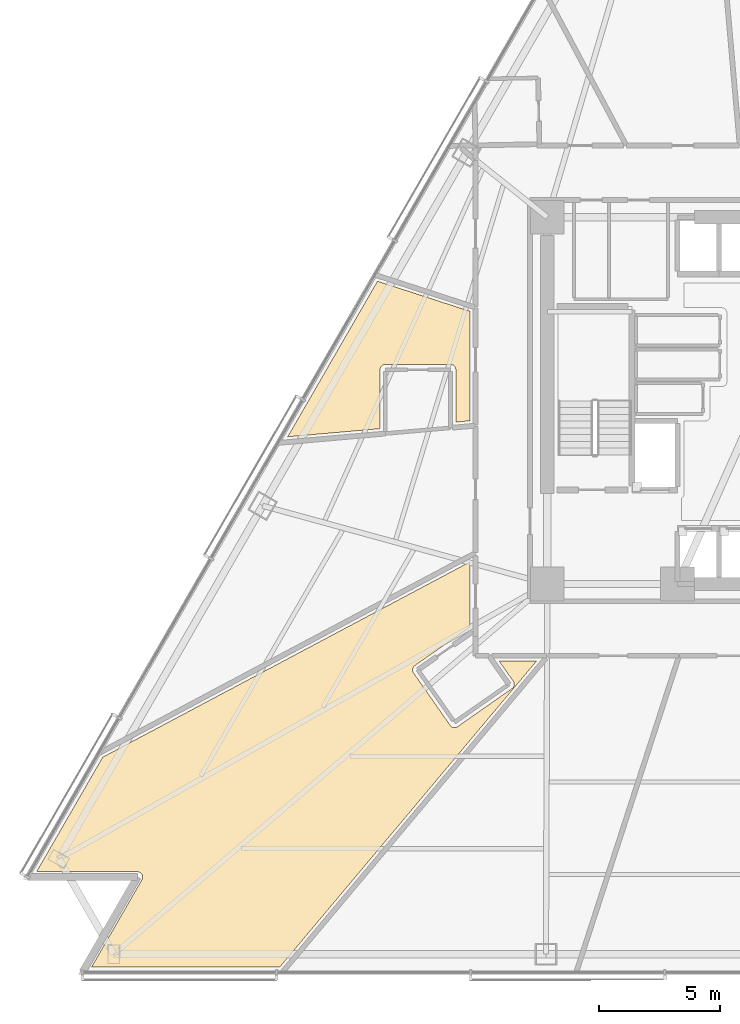
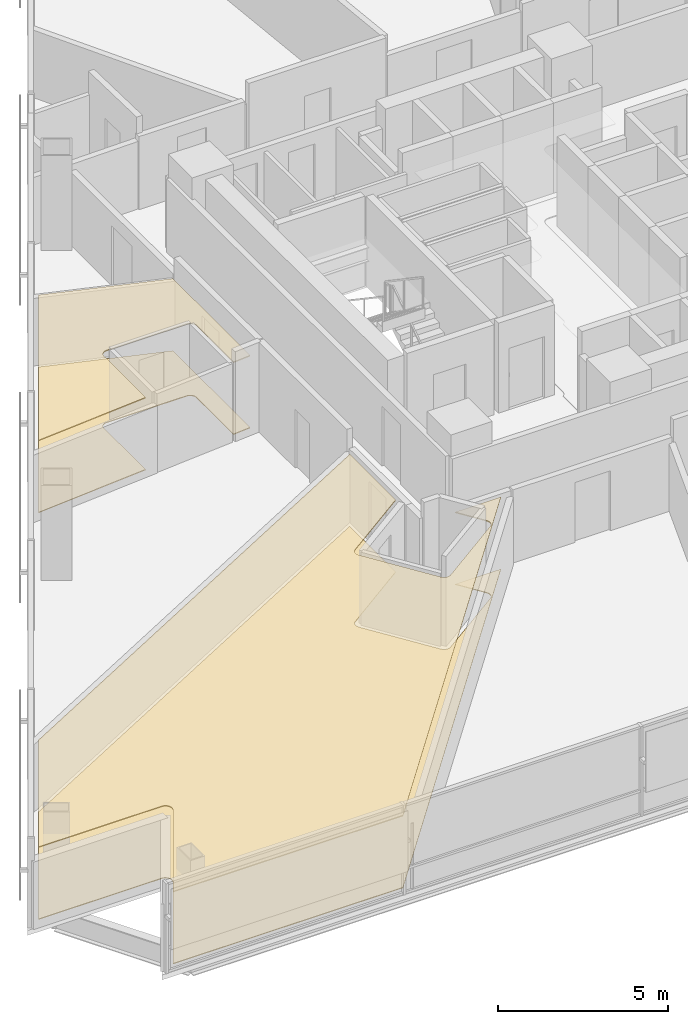
# One storey, part 14 of 18: 4 coverings.
"""IFC4 building model written with IfcOpenShell, lengths in metres."""

import ifcopenshell
import ifcopenshell.guid

model = None  # the IFC model being written
_history = None  # IfcOwnerHistory: only IFC2X3 demands one
_inside = {}  # id of a spatial element -> (the spatial element, [elements in it])
_under = {}  # id of a project, library or spatial element -> (it, [spatial elements below it])
_declared = {}  # id of a project -> (the project, [libraries it declares])
_typed = {}  # id of a type object -> (the type object, [elements of that type])
_made_of = {}  # id of a material, layer set ... -> (it, [elements and type objects made of it])


def new_model(schema):
    """Start an empty IFC model of exactly this schema.

    Asked for "IFC4X3", IfcOpenShell would pick the latest addendum, in which some entities
    have other attributes; the version numbers below select the first issue.
    IFC2X3 requires an IfcOwnerHistory on every rooted entity: one is made here for all.
    """
    global model, _history
    if schema == "IFC4X3":
        model = ifcopenshell.file(schema_version=(4, 3, 0, 0))
    else:
        model = ifcopenshell.file(schema=schema)
    _inside.clear()
    _under.clear()
    _declared.clear()
    _typed.clear()
    _made_of.clear()
    _history = None
    if model.schema == "IFC2X3":
        org = make("IfcOrganization", Name="unknown")
        user = make(
            "IfcPersonAndOrganization",
            ThePerson=make("IfcPerson", FamilyName="unknown"),
            TheOrganization=org,
        )
        app = make(
            "IfcApplication",
            ApplicationDeveloper=org,
            Version="unknown",
            ApplicationFullName="unknown",
            ApplicationIdentifier="unknown",
        )
        _history = make(
            "IfcOwnerHistory",
            OwningUser=user,
            OwningApplication=app,
            ChangeAction="ADDED",
            CreationDate=0,
        )
    return model


def make(cls, **values):
    """One entity of the class cls with the attributes given. An attribute that is None is left unset."""
    return model.create_entity(
        cls, **{name: value for name, value in values.items() if value is not None}
    )


def rooted(cls, **values):
    """An entity with a GlobalId (a new one), such as an element, a storey or a relation."""
    return make(cls, GlobalId=ifcopenshell.guid.new(), OwnerHistory=_history, **values)


def si_unit(unit_type, name, prefix=None):
    """IfcSIUnit, for example si_unit("LENGTHUNIT", "METRE", prefix="MILLI")."""
    return make("IfcSIUnit", UnitType=unit_type, Prefix=prefix, Name=name)


def assignment(units):
    """IfcUnitAssignment: the units of a project."""
    return None if units is None else make("IfcUnitAssignment", Units=units)


def point(xyz):
    """IfcCartesianPoint."""
    return None if xyz is None else make("IfcCartesianPoint", Coordinates=xyz)


def direction(xyz):
    """IfcDirection."""
    return None if xyz is None else make("IfcDirection", DirectionRatios=xyz)


def frame(location, z_axis=None, x_axis=None):
    """IfcAxis2Placement3D, a coordinate frame: its origin and axes. An axis left out is left unset."""
    return make(
        "IfcAxis2Placement3D",
        Location=point(location),
        Axis=direction(z_axis),
        RefDirection=direction(x_axis),
    )


def origin():
    """The frame at (0, 0, 0) with its axes left unset."""
    return frame((0.0, 0.0, 0.0))


def place(relative_to, where):
    """IfcLocalPlacement: puts the frame where relative to a parent placement (None: the world)."""
    return make(
        "IfcLocalPlacement", PlacementRelTo=relative_to, RelativePlacement=where
    )


def context(
    kind, dimensions, precision=None, world=None, true_north=None, identifier=None
):
    """IfcGeometricRepresentationContext, for example the 3D "Model" context."""
    return make(
        "IfcGeometricRepresentationContext",
        ContextIdentifier=identifier,
        ContextType=kind,
        CoordinateSpaceDimension=dimensions,
        Precision=precision,
        WorldCoordinateSystem=world,
        TrueNorth=true_north,
    )


def subcontext(parent, identifier, kind, view, scale=None):
    """IfcGeometricRepresentationSubContext, for example "Body" below "Model"."""
    return make(
        "IfcGeometricRepresentationSubContext",
        ContextIdentifier=identifier,
        ContextType=kind,
        ParentContext=parent,
        TargetScale=scale,
        TargetView=view,
    )


def project(units=None, contexts=None):
    """IfcProject with its units and contexts."""
    return rooted(
        "IfcProject",
        Name="project",
        RepresentationContexts=contexts,
        UnitsInContext=assignment(units),
    )


def spatial(cls, under=None, at=None, **own):
    """A site, building, storey or space (cls), placed at a placement, below another one or the project."""
    s = rooted(cls, ObjectPlacement=at, **own)
    if under is not None:
        _under.setdefault(under.id(), (under, []))[1].append(s)
    return s


def polyline(points):
    """IfcPolyline through the points."""
    return make("IfcPolyline", Points=[point(p) for p in points])


def outline(outer, holes=None, kind="AREA"):
    """IfcArbitraryClosedProfileDef: a profile drawn as a closed curve; with holes, ...WithVoids."""
    if holes is None:
        return make("IfcArbitraryClosedProfileDef", ProfileType=kind, OuterCurve=outer)
    return make(
        "IfcArbitraryProfileDefWithVoids",
        ProfileType=kind,
        OuterCurve=outer,
        InnerCurves=holes,
    )


def extrude(swept, where, along, depth):
    """IfcExtrudedAreaSolid: the profile swept, set in the frame where, extruded along a direction by depth."""
    return make(
        "IfcExtrudedAreaSolid",
        SweptArea=swept,
        Position=where,
        ExtrudedDirection=direction(along),
        Depth=depth,
    )


def shape(context_of_items, identifier, shape_type, items):
    """IfcShapeRepresentation: the items that make up one representation, for example the "Body"."""
    return make(
        "IfcShapeRepresentation",
        ContextOfItems=context_of_items,
        RepresentationIdentifier=identifier,
        RepresentationType=shape_type,
        Items=items,
    )


def material(Name=None, Category=None):
    """IfcMaterial."""
    return make("IfcMaterial", Name=Name, Category=Category)


def layer(
    of_material, thickness, ventilated=None, Name=None, Category=None, Priority=None
):
    """IfcMaterialLayer: one layer of a wall or slab, of a material (None: an air gap)."""
    return make(
        "IfcMaterialLayer",
        Material=of_material,
        LayerThickness=thickness,
        IsVentilated=ventilated,
        Name=Name,
        Category=Category,
        Priority=Priority,
    )


def layer_set(layers, Name=None):
    """IfcMaterialLayerSet."""
    return make("IfcMaterialLayerSet", MaterialLayers=layers, LayerSetName=Name)


def made_of(thing, what):
    """Note that an element or type object is made of a material, layer set ...; save() writes the relation."""
    if what is not None:
        _made_of.setdefault(what.id(), (what, []))[1].append(thing)
    return thing


def type_object(cls, material=None, **own):
    """A type object (cls), such as IfcWallType, which elements share."""
    return made_of(rooted(cls, **own), material)


def element(
    cls,
    number,
    at=None,
    inside=None,
    cuts=None,
    type_object=None,
    material=None,
    context=None,
    identifier="Body",
    shape_type=None,
    held_by="IfcProductDefinitionShape",
    body=None,
    shapes=None,
    **own,
):
    """One element of the class cls, such as IfcWall. Its Tag is "e" and its number.

    at: its placement. inside: the storey or other place that contains it. cuts: it is an
    opening in that element (IfcRelVoidsElement). A single representation is given by context,
    identifier, shape_type and body (its items); several are given by shapes. held_by: the class
    of the entity that holds the representations. save() writes the other relations.
    """
    e = rooted(cls, Tag="e%d" % number, ObjectPlacement=at, **own)
    if body is not None:
        shapes = [shape(context, identifier, shape_type, body)]
    if shapes is not None:
        e.Representation = make(held_by, Representations=shapes)
    if inside is not None:
        _inside.setdefault(inside.id(), (inside, []))[1].append(e)
    if cuts is not None:
        rooted(
            "IfcRelVoidsElement", RelatingBuildingElement=cuts, RelatedOpeningElement=e
        )
    if type_object is not None:
        _typed.setdefault(type_object.id(), (type_object, []))[1].append(e)
    return made_of(e, material)


def aggregate(whole, parts):
    """IfcRelAggregates: a whole, such as a stair, and the parts it consists of."""
    return rooted("IfcRelAggregates", RelatingObject=whole, RelatedObjects=parts)


def save(model, path):
    """Write the relations noted so far, then the file.

    IfcRelAggregates (storeys below a building ...), IfcRelContainedInSpatialStructure (elements
    in a storey), IfcRelDefinesByType, IfcRelAssociatesMaterial and IfcRelDeclares: one each for
    every whole, place, type object, material and project.
    """
    for whole, parts in _under.values():
        aggregate(whole, parts)
    for where, things in _inside.values():
        rooted(
            "IfcRelContainedInSpatialStructure",
            RelatedElements=things,
            RelatingStructure=where,
        )
    for kind, things in _typed.values():
        rooted("IfcRelDefinesByType", RelatedObjects=things, RelatingType=kind)
    for what, things in _made_of.values():
        rooted("IfcRelAssociatesMaterial", RelatedObjects=things, RelatingMaterial=what)
    for by, libraries in _declared.values():
        rooted("IfcRelDeclares", RelatingContext=by, RelatedDefinitions=libraries)
    model.write(path)


model = new_model("IFC4")

# Units and contexts
model_context = context("Model", 3, precision=1e-05, world=origin(), true_north=direction((0.0, 1.0)))
body_context = subcontext(model_context, "Body", "Model", "MODEL_VIEW")
ifc_project = project(units=[si_unit("LENGTHUNIT", "METRE"), si_unit("AREAUNIT", "SQUARE_METRE"), si_unit("VOLUMEUNIT", "CUBIC_METRE"), si_unit("PLANEANGLEUNIT", "RADIAN"), si_unit("MASSUNIT", "GRAM", prefix="KILO")], contexts=[model_context])

# Site, building, storey
site_placement = place(None, origin())
site = spatial("IfcSite", under=ifc_project, at=site_placement, CompositionType="ELEMENT")
building_placement = place(site_placement, origin())
building = spatial("IfcBuilding", under=site, at=building_placement, Name="Tharavind Bronze Gate", CompositionType="ELEMENT")
storey_placement = place(building_placement, frame((0.0, 0.0, 38.64990234375)))
storey = spatial("IfcBuildingStorey", under=building, at=storey_placement, Name="L08", CompositionType="ELEMENT", Elevation=38.64990234375)

# Coverings
ifc_material_1 = material(Name="Engineered Oak & Carpet Tile", Category="wood")
ifc_layer_1 = layer(ifc_material_1, 0.02490234375)
ifc_layer_set_1 = layer_set([ifc_layer_1], Name="Engineered Oak & Carpet Tile")
covering_type_1 = type_object("IfcCoveringType", Name="ENGINEERED TIMBER FLOORING", PredefinedType="FLOORING", material=ifc_layer_set_1)
covering_1_placement = place(storey_placement, origin())
element("IfcCovering", 1, at=covering_1_placement, inside=storey, type_object=covering_type_1, Name="L08-RM-08 floor finish", PredefinedType="FLOORING", context=body_context, shape_type="SweptSolid", body=[
    extrude(outline(polyline([(-15.8359375, -1.16455078125), (-15.8359375, 1.278076171875), (-15.834716796875, 1.2998046875), (-15.831787109375, 1.321044921875), (-15.826416015625, 1.342041015625), (-15.819091796875, 1.3623046875), (-15.809814453125, 1.3818359375), (-15.798828125, 1.400390625), (-15.785888671875, 1.417724609375), (-15.771484375, 1.43359375), (-15.755615234375, 1.4482421875), (-15.738037109375, 1.461181640625), (-15.719482421875, 1.47216796875), (-15.7001953125, 1.4814453125), (-15.6796875, 1.48876953125), (-15.65869140625, 1.493896484375), (-15.637451171875, 1.4970703125), (-15.615966796875, 1.498046875), (-12.916015625, 1.498046875), (-12.894287109375, 1.4970703125), (-12.873046875, 1.493896484375), (-12.85205078125, 1.48876953125), (-12.831787109375, 1.4814453125), (-12.812255859375, 1.47216796875), (-12.793701171875, 1.461181640625), (-12.7763671875, 1.4482421875), (-12.76025390625, 1.43359375), (-12.745849609375, 1.417724609375), (-12.73291015625, 1.400390625), (-12.721923828125, 1.3818359375), (-12.712646484375, 1.3623046875), (-12.705322265625, 1.342041015625), (-12.7001953125, 1.321044921875), (-12.697021484375, 1.2998046875), (-12.69580078125, 1.278076171875), (-12.69580078125, -0.889892578125), (-12.10009765625, -0.837890625), (-12.10009765625, 3.7001953125), (-15.941650390625, 4.948486328125), (-19.664306640625, -1.49951171875), (-15.8359375, -1.16455078125)])), origin(), (0.0, 0.0, 1.0), 0.025146484375),
])
covering_2_placement = place(storey_placement, origin())
element("IfcCovering", 2, at=covering_2_placement, inside=storey, type_object=covering_type_1, Name="L08-RM-10 floor finish", PredefinedType="FLOORING", context=body_context, shape_type="SweptSolid", body=[
    extrude(outline(polyline([(-25.896484375, -19.531005859375), (-25.885498046875, -19.53125), (-25.885009765625, -19.53125), (-25.863037109375, -19.533447265625), (-25.841552734375, -19.53759765625), (-25.820556640625, -19.544189453125), (-25.80029296875, -19.552734375), (-25.781005859375, -19.563232421875), (-25.762939453125, -19.57568359375), (-25.74609375, -19.589599609375), (-25.73095703125, -19.60546875), (-25.71728515625, -19.62255859375), (-25.705322265625, -19.640869140625), (-25.6953125, -19.660400390625), (-25.687255859375, -19.680908203125), (-25.681396484375, -19.701904296875), (-25.677490234375, -19.7236328125), (-25.67578125, -19.745361328125), (-25.676513671875, -19.767333984375), (-25.67919921875, -19.7890625), (-25.68408203125, -19.810546875), (-25.691162109375, -19.831298828125), (-25.7001953125, -19.851318359375), (-25.7001953125, -19.851806640625), (-25.70556640625, -19.861328125), (-27.794677734375, -23.47998046875), (-19.9892578125, -23.47998046875), (-9.349609375, -10.800048828125), (-10.897705078125, -10.800048828125), (-10.31396484375, -11.63427734375), (-10.302490234375, -11.652587890625), (-10.29296875, -11.671875), (-10.28515625, -11.692138671875), (-10.279541015625, -11.712890625), (-10.27587890625, -11.734130859375), (-10.2744140625, -11.755615234375), (-10.27490234375, -11.77734375), (-10.277587890625, -11.798583984375), (-10.282470703125, -11.81982421875), (-10.289306640625, -11.84033203125), (-10.298095703125, -11.860107421875), (-10.308837890625, -11.878662109375), (-10.3212890625, -11.896240234375), (-10.33544921875, -11.91259765625), (-10.35107421875, -11.927490234375), (-10.3681640625, -11.940673828125), (-12.62158203125, -13.51708984375), (-12.639892578125, -13.528564453125), (-12.6591796875, -13.5380859375), (-12.67919921875, -13.5458984375), (-12.7001953125, -13.551513671875), (-12.721435546875, -13.55517578125), (-12.742919921875, -13.556640625), (-12.764404296875, -13.55615234375), (-12.785888671875, -13.553466796875), (-12.806884765625, -13.548583984375), (-12.827392578125, -13.541748046875), (-12.84716796875, -13.532958984375), (-12.865966796875, -13.522216796875), (-12.883544921875, -13.509765625), (-12.89990234375, -13.49560546875), (-12.914794921875, -13.47998046875), (-12.927978515625, -13.462890625), (-14.447021484375, -11.29150390625), (-14.45849609375, -11.273193359375), (-14.468017578125, -11.25390625), (-14.475830078125, -11.233642578125), (-14.4814453125, -11.212890625), (-14.485107421875, -11.19140625), (-14.486572265625, -11.169921875), (-14.486083984375, -11.1484375), (-14.4833984375, -11.126953125), (-14.478515625, -11.10595703125), (-14.4716796875, -11.08544921875), (-14.462890625, -11.06591796875), (-14.4521484375, -11.047119140625), (-14.439697265625, -11.029296875), (-14.425537109375, -11.01318359375), (-14.409912109375, -10.998291015625), (-14.392822265625, -10.985107421875), (-12.139404296875, -9.40869140625), (-12.12109375, -9.397216796875), (-12.101806640625, -9.3876953125), (-12.10009765625, -9.386962890625), (-12.10009765625, -6.682861328125), (-27.333251953125, -14.782470703125), (-30.07470703125, -19.531005859375), (-25.896484375, -19.531005859375)])), origin(), (0.0, 0.0, 1.0), 0.025146484375),
])
ifc_material_2 = material(Name="Acoustic Gypsum Board", Category="gypsum")
ifc_layer_2 = layer(ifc_material_2, 0.030029296875)
ifc_layer_set_2 = layer_set([ifc_layer_2], Name="Acoustic Gypsum Board")
covering_type_2 = type_object("IfcCoveringType", Name="GYPSUM SUSPENDED CEILING", PredefinedType="CEILING", material=ifc_layer_set_2)
covering_3_placement = place(storey_placement, frame((0.0, 0.0, 2.5751953125)))
element("IfcCovering", 3, at=covering_3_placement, inside=storey, type_object=covering_type_2, Name="L08-RM-08 suspended ceiling", PredefinedType="CEILING", context=body_context, shape_type="SweptSolid", body=[
    extrude(outline(polyline([(-15.8359375, -1.16455078125), (-15.8359375, 1.278076171875), (-15.834716796875, 1.2998046875), (-15.831787109375, 1.321044921875), (-15.826416015625, 1.342041015625), (-15.819091796875, 1.3623046875), (-15.809814453125, 1.3818359375), (-15.798828125, 1.400390625), (-15.785888671875, 1.417724609375), (-15.771484375, 1.43359375), (-15.755615234375, 1.4482421875), (-15.738037109375, 1.461181640625), (-15.719482421875, 1.47216796875), (-15.7001953125, 1.4814453125), (-15.6796875, 1.48876953125), (-15.65869140625, 1.493896484375), (-15.637451171875, 1.4970703125), (-15.615966796875, 1.498046875), (-12.916015625, 1.498046875), (-12.894287109375, 1.4970703125), (-12.873046875, 1.493896484375), (-12.85205078125, 1.48876953125), (-12.831787109375, 1.4814453125), (-12.812255859375, 1.47216796875), (-12.793701171875, 1.461181640625), (-12.7763671875, 1.4482421875), (-12.76025390625, 1.43359375), (-12.745849609375, 1.417724609375), (-12.73291015625, 1.400390625), (-12.721923828125, 1.3818359375), (-12.712646484375, 1.3623046875), (-12.705322265625, 1.342041015625), (-12.7001953125, 1.321044921875), (-12.697021484375, 1.2998046875), (-12.69580078125, 1.278076171875), (-12.69580078125, -0.889892578125), (-12.10009765625, -0.837890625), (-12.10009765625, 3.7001953125), (-15.941650390625, 4.948486328125), (-19.664306640625, -1.49951171875), (-15.8359375, -1.16455078125)])), origin(), (0.0, 0.0, 1.0), 0.034912109375),
])
covering_4_placement = place(storey_placement, frame((0.0, 0.0, 2.5751953125)))
element("IfcCovering", 4, at=covering_4_placement, inside=storey, type_object=covering_type_2, Name="L08-RM-10 suspended ceiling", PredefinedType="CEILING", context=body_context, shape_type="SweptSolid", body=[
    extrude(outline(polyline([(-25.896484375, -19.531005859375), (-25.885498046875, -19.53125), (-25.885009765625, -19.53125), (-25.863037109375, -19.533447265625), (-25.841552734375, -19.53759765625), (-25.820556640625, -19.544189453125), (-25.80029296875, -19.552734375), (-25.781005859375, -19.563232421875), (-25.762939453125, -19.57568359375), (-25.74609375, -19.589599609375), (-25.73095703125, -19.60546875), (-25.71728515625, -19.62255859375), (-25.705322265625, -19.640869140625), (-25.6953125, -19.660400390625), (-25.687255859375, -19.680908203125), (-25.681396484375, -19.701904296875), (-25.677490234375, -19.7236328125), (-25.67578125, -19.745361328125), (-25.676513671875, -19.767333984375), (-25.67919921875, -19.7890625), (-25.68408203125, -19.810546875), (-25.691162109375, -19.831298828125), (-25.7001953125, -19.851318359375), (-25.7001953125, -19.851806640625), (-25.70556640625, -19.861328125), (-27.794677734375, -23.47998046875), (-19.9892578125, -23.47998046875), (-9.349609375, -10.800048828125), (-10.897705078125, -10.800048828125), (-10.31396484375, -11.63427734375), (-10.302490234375, -11.652587890625), (-10.29296875, -11.671875), (-10.28515625, -11.692138671875), (-10.279541015625, -11.712890625), (-10.27587890625, -11.734130859375), (-10.2744140625, -11.755615234375), (-10.27490234375, -11.77734375), (-10.277587890625, -11.798583984375), (-10.282470703125, -11.81982421875), (-10.289306640625, -11.84033203125), (-10.298095703125, -11.860107421875), (-10.308837890625, -11.878662109375), (-10.3212890625, -11.896240234375), (-10.33544921875, -11.91259765625), (-10.35107421875, -11.927490234375), (-10.3681640625, -11.940673828125), (-12.62158203125, -13.51708984375), (-12.639892578125, -13.528564453125), (-12.6591796875, -13.5380859375), (-12.67919921875, -13.5458984375), (-12.7001953125, -13.551513671875), (-12.721435546875, -13.55517578125), (-12.742919921875, -13.556640625), (-12.764404296875, -13.55615234375), (-12.785888671875, -13.553466796875), (-12.806884765625, -13.548583984375), (-12.827392578125, -13.541748046875), (-12.84716796875, -13.532958984375), (-12.865966796875, -13.522216796875), (-12.883544921875, -13.509765625), (-12.89990234375, -13.49560546875), (-12.914794921875, -13.47998046875), (-12.927978515625, -13.462890625), (-14.447021484375, -11.29150390625), (-14.45849609375, -11.273193359375), (-14.468017578125, -11.25390625), (-14.475830078125, -11.233642578125), (-14.4814453125, -11.212890625), (-14.485107421875, -11.19140625), (-14.486572265625, -11.169921875), (-14.486083984375, -11.1484375), (-14.4833984375, -11.126953125), (-14.478515625, -11.10595703125), (-14.4716796875, -11.08544921875), (-14.462890625, -11.06591796875), (-14.4521484375, -11.047119140625), (-14.439697265625, -11.029296875), (-14.425537109375, -11.01318359375), (-14.409912109375, -10.998291015625), (-14.392822265625, -10.985107421875), (-12.139404296875, -9.40869140625), (-12.12109375, -9.397216796875), (-12.101806640625, -9.3876953125), (-12.10009765625, -9.386962890625), (-12.10009765625, -6.682861328125), (-27.333251953125, -14.782470703125), (-30.07470703125, -19.531005859375), (-25.896484375, -19.531005859375)])), origin(), (0.0, 0.0, 1.0), 0.034912109375),
])

save(model, "model.ifc")
